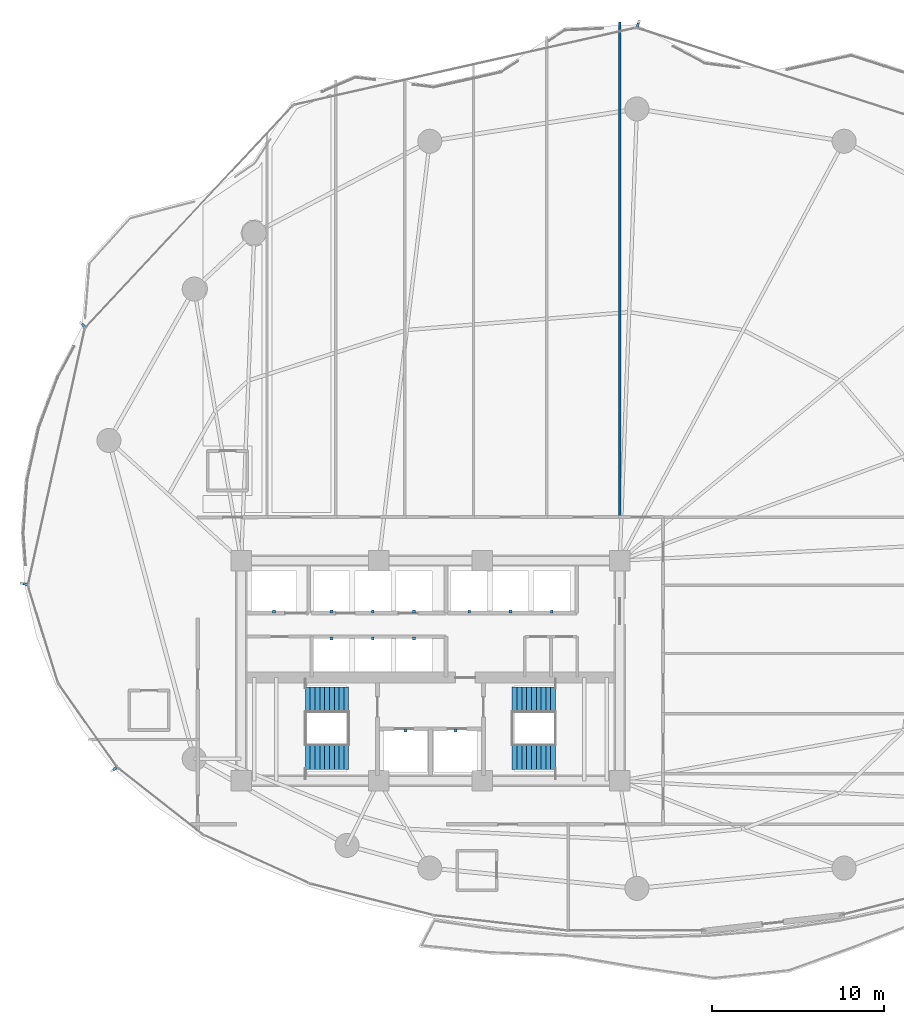
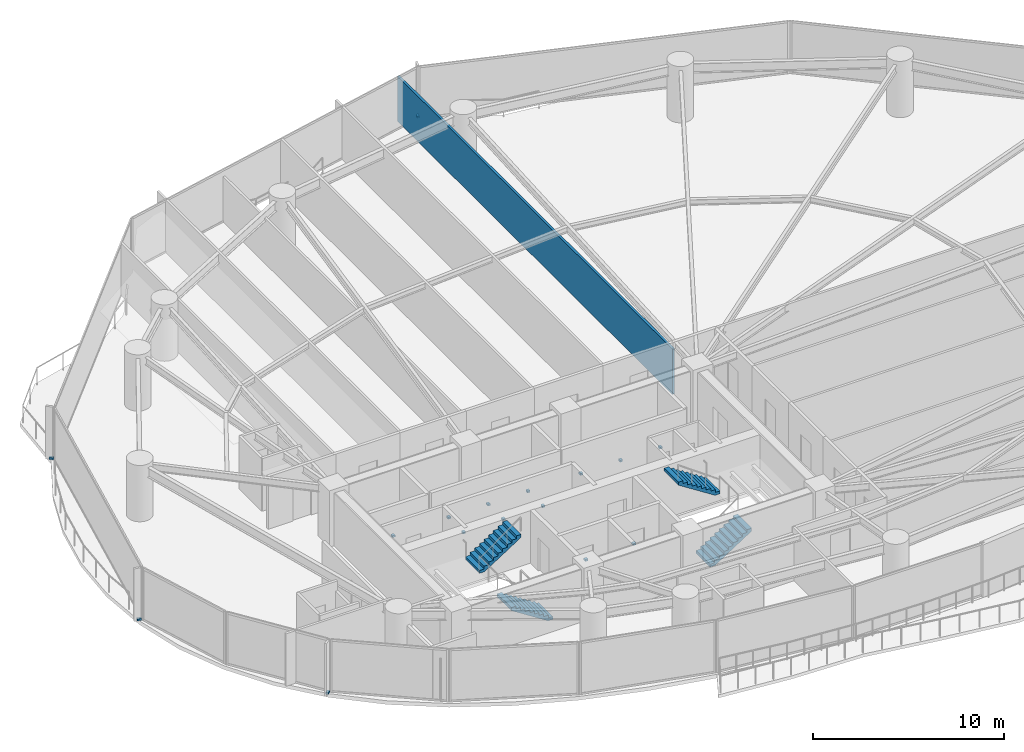
# One storey, part 28 of 33: 16 discrete accessories, 4 stair flights, 1 wall, 2 elements without a shape of their own.
"""IFC4 building model written with IfcOpenShell, lengths in metres."""

from ifc_helpers import new_model, si_unit, direction, frame, frame_2d, origin, origin_2d, place, context, subcontext, project, spatial, polyline, rectangle, outline, extrude, material, layer, layer_set, type_object, element, aggregate, save


model = new_model("IFC4")

# Units and contexts
model_context = context("Model", 3, precision=1e-05, world=origin(), true_north=direction((0.0, 1.0)))
body_context = subcontext(model_context, "Body", "Model", "MODEL_VIEW")
ifc_project = project(units=[si_unit("LENGTHUNIT", "METRE"), si_unit("AREAUNIT", "SQUARE_METRE"), si_unit("VOLUMEUNIT", "CUBIC_METRE"), si_unit("PLANEANGLEUNIT", "RADIAN"), si_unit("MASSUNIT", "GRAM", prefix="KILO")], contexts=[model_context])

# Site, building, storey
site_placement = place(None, origin())
site = spatial("IfcSite", under=ifc_project, at=site_placement, CompositionType="ELEMENT")
building_placement = place(site_placement, origin())
building = spatial("IfcBuilding", under=site, at=building_placement, Name="Kazevale Care Tower and Concert Hall", CompositionType="ELEMENT")
storey_placement = place(building_placement, frame((0.0, 0.0, 31.199951171875)))
storey = spatial("IfcBuildingStorey", under=building, at=storey_placement, Name="L07", CompositionType="ELEMENT", Elevation=31.199951171875)

# Wall
ifc_material_1 = material(Name="Acoustic Gypsum on Steel Stud", Category="steel")
ifc_layer_1 = layer(ifc_material_1, 0.139892578125)
ifc_layer_set_1 = layer_set([ifc_layer_1], Name="Acoustic Gypsum on Steel Stud")
wall_type = type_object("IfcWallType", Name="Acoustic Care & Suite Partition 140", PredefinedType="PARTITIONING", material=ifc_layer_set_1)
wall_placement = place(storey_placement, frame((44.0, 67.7060546875, 0.0), z_axis=(0.0, 0.0, 1.0), x_axis=(0.0, -1.0, 0.0)))
element("IfcWall", 1, at=wall_placement, inside=storey, type_object=wall_type, Name="wall:L07:auto_023", PredefinedType="PARTITIONING", context=body_context, shape_type="SweptSolid", body=[
    extrude(rectangle(XDim=28.81103515625, YDim=0.139892578125, at=frame_2d((14.405517578125, 0.0))), origin(), (0.0, 0.0, 1.0), 2.89013671875),
])

# Stair, stair flights
ifc_material_2 = material(Name="Concrete C40", Category="concrete")
stair_type = type_object("IfcStairType", Name="Exit Stair Assembly ST1-Z1", PredefinedType="HALF_TURN_STAIR", material=ifc_material_2)
stair_1_placement = place(storey_placement, origin())
stair_1 = element("IfcStair", 2, at=stair_1_placement, inside=storey, type_object=stair_type, Name="stair:L07:ST1", PredefinedType="HALF_TURN_STAIR")
ifc_layer_2 = layer(ifc_material_2, 0.159912109375)
ifc_layer_set_2 = layer_set([ifc_layer_2], Name="Concrete C40")
stair_flight_type = type_object("IfcStairFlightType", Name="Exit Stair Flight ST1-Z1", PredefinedType="STRAIGHT", material=ifc_layer_set_2)
stair_flight_1_placement = place(storey_placement, frame((28.25, 24.989990234375, 0.0), z_axis=(0.0, 0.0, 1.0), x_axis=(-1.0, 0.0, 0.0)))
stair_flight_1 = element("IfcStairFlight", 3, at=stair_flight_1_placement, type_object=stair_flight_type, Name="ST1-Z1 flight 1", NumberOfRisers=10, NumberOfTreads=9, PredefinedType="STRAIGHT", RiserHeight=0.18, TreadLength=0.28, context=body_context, shape_type="SweptSolid", body=[
    extrude(outline(polyline([(0.0, 0.0), (0.0, 0.179931640625), (0.280029296875, 0.179931640625), (0.280029296875, 0.360107421875), (0.56005859375, 0.360107421875), (0.56005859375, 0.5400390625), (0.840087890625, 0.5400390625), (0.840087890625, 0.719970703125), (1.1201171875, 0.719970703125), (1.1201171875, 0.89990234375), (1.39990234375, 0.89990234375), (1.39990234375, 1.080078125), (1.679931640625, 1.080078125), (1.679931640625, 1.260009765625), (1.9599609375, 1.260009765625), (1.9599609375, 1.43994140625), (2.239990234375, 1.43994140625), (2.239990234375, 1.6201171875), (2.52001953125, 1.6201171875), (2.52001953125, 1.800048828125), (2.52001953125, 1.429931640625), (0.295654296875, 0.0), (0.0, 0.0)])), frame((0.0, 0.739990234375, 0.0), z_axis=(0.0, -1.0, 0.0), x_axis=(1.0, 0.0, 0.0)), (0.0, 0.0, 1.0), 1.47998046875),
])
stair_flight_2_placement = place(storey_placement, frame((25.72998046875, 28.31005859375, 1.800048828125), z_axis=(0.0, 0.0, 1.0), x_axis=(1.0, 0.0, 0.0)))
stair_flight_2 = element("IfcStairFlight", 4, at=stair_flight_2_placement, type_object=stair_flight_type, Name="ST1-Z1 flight 2", NumberOfRisers=10, NumberOfTreads=9, PredefinedType="STRAIGHT", RiserHeight=0.18, TreadLength=0.28, context=body_context, shape_type="SweptSolid", body=[
    extrude(outline(polyline([(0.0, 0.0), (0.0, 0.179931640625), (0.280029296875, 0.179931640625), (0.280029296875, 0.360107421875), (0.56005859375, 0.360107421875), (0.56005859375, 0.5400390625), (0.840087890625, 0.5400390625), (0.840087890625, 0.719970703125), (1.1201171875, 0.719970703125), (1.1201171875, 0.89990234375), (1.39990234375, 0.89990234375), (1.39990234375, 1.080078125), (1.679931640625, 1.080078125), (1.679931640625, 1.260009765625), (1.9599609375, 1.260009765625), (1.9599609375, 1.43994140625), (2.239990234375, 1.43994140625), (2.239990234375, 1.6201171875), (2.52001953125, 1.6201171875), (2.52001953125, 1.800048828125), (2.52001953125, 1.429931640625), (0.295654296875, 0.0), (0.0, 0.0)])), frame((0.0, 0.739990234375, 0.0), z_axis=(0.0, -1.0, 0.0), x_axis=(1.0, 0.0, 0.0)), (0.0, 0.0, 1.0), 1.47998046875),
])
aggregate(stair_1, [stair_flight_1, stair_flight_2])

stair_2_placement = place(storey_placement, origin())
stair_2 = element("IfcStair", 5, at=stair_2_placement, inside=storey, type_object=stair_type, Name="stair:L07:ST2", PredefinedType="HALF_TURN_STAIR")
stair_flight_3_placement = place(storey_placement, frame((37.75, 24.989990234375, 0.0), z_axis=(0.0, 0.0, 1.0), x_axis=(1.0, 0.0, 0.0)))
stair_flight_3 = element("IfcStairFlight", 6, at=stair_flight_3_placement, type_object=stair_flight_type, Name="ST1-Z1 flight 1", NumberOfRisers=10, NumberOfTreads=9, PredefinedType="STRAIGHT", RiserHeight=0.18, TreadLength=0.28, context=body_context, shape_type="SweptSolid", body=[
    extrude(outline(polyline([(0.0, 0.0), (0.0, 0.179931640625), (0.280029296875, 0.179931640625), (0.280029296875, 0.360107421875), (0.56005859375, 0.360107421875), (0.56005859375, 0.5400390625), (0.840087890625, 0.5400390625), (0.840087890625, 0.719970703125), (1.1201171875, 0.719970703125), (1.1201171875, 0.89990234375), (1.39990234375, 0.89990234375), (1.39990234375, 1.080078125), (1.679931640625, 1.080078125), (1.679931640625, 1.260009765625), (1.9599609375, 1.260009765625), (1.9599609375, 1.43994140625), (2.239990234375, 1.43994140625), (2.239990234375, 1.6201171875), (2.52001953125, 1.6201171875), (2.52001953125, 1.800048828125), (2.52001953125, 1.429931640625), (0.295654296875, 0.0), (0.0, 0.0)])), frame((0.0, 0.739990234375, 0.0), z_axis=(0.0, -1.0, 0.0), x_axis=(1.0, 0.0, 0.0)), (0.0, 0.0, 1.0), 1.47998046875),
])
stair_flight_4_placement = place(storey_placement, frame((40.27001953125, 28.31005859375, 1.800048828125), z_axis=(0.0, 0.0, 1.0), x_axis=(-1.0, 0.0, 0.0)))
stair_flight_4 = element("IfcStairFlight", 7, at=stair_flight_4_placement, type_object=stair_flight_type, Name="ST1-Z1 flight 2", NumberOfRisers=10, NumberOfTreads=9, PredefinedType="STRAIGHT", RiserHeight=0.18, TreadLength=0.28, context=body_context, shape_type="SweptSolid", body=[
    extrude(outline(polyline([(0.0, 0.0), (0.0, 0.179931640625), (0.280029296875, 0.179931640625), (0.280029296875, 0.360107421875), (0.56005859375, 0.360107421875), (0.56005859375, 0.5400390625), (0.840087890625, 0.5400390625), (0.840087890625, 0.719970703125), (1.1201171875, 0.719970703125), (1.1201171875, 0.89990234375), (1.39990234375, 0.89990234375), (1.39990234375, 1.080078125), (1.679931640625, 1.080078125), (1.679931640625, 1.260009765625), (1.9599609375, 1.260009765625), (1.9599609375, 1.43994140625), (2.239990234375, 1.43994140625), (2.239990234375, 1.6201171875), (2.52001953125, 1.6201171875), (2.52001953125, 1.800048828125), (2.52001953125, 1.429931640625), (0.295654296875, 0.0), (0.0, 0.0)])), frame((0.0, 0.739990234375, 0.0), z_axis=(0.0, -1.0, 0.0), x_axis=(1.0, 0.0, 0.0)), (0.0, 0.0, 1.0), 1.47998046875),
])
aggregate(stair_2, [stair_flight_3, stair_flight_4])

# Discrete accessories
ifc_material_3 = material(Name="Stainless Steel 316", Category="steel")
discrete_accessory_type_1 = type_object("IfcDiscreteAccessoryType", Name="Facade Fin Stainless Anchor Bracket BRK-1", PredefinedType="BRACKET", material=ifc_material_3)
for number, where, z_axis, x_axis, name in (
    (8, (14.656005859375, 24.298828125, 0.0), (0.0, 0.0, 1.0), (-0.817547124842, -0.575861700985, 0.0), "cw:L07:f11:brk"),
    (9, (9.44677734375, 35.03369140625, 0.0), (0.0, 0.0, 1.0), (-0.97629600712, 0.216439613938, 0.0), "cw:L07:f13:brk"),
    (10, (12.8251953125, 50.068359375, 0.0), (0.0, 0.0, 1.0), (-0.730400739673, 0.683018857343, 0.0), "cw:L07:f14:brk"),
    (11, (45.04931640625, 67.517333984375, 0.0), (0.0, 0.0, 1.0), (0.30785482931, 0.951433341896, 0.0), "cw:L07:f16:brk"),
):
    element("IfcDiscreteAccessory", number, at=place(storey_placement, frame(where, z_axis=z_axis, x_axis=x_axis)), inside=storey, type_object=discrete_accessory_type_1, Name=name, PredefinedType="BRACKET", context=body_context, shape_type="SweptSolid", body=[
        extrude(rectangle(XDim=0.239990234375, YDim=0.139892578125, at=origin_2d()), origin(), (0.0, 0.0, 1.0), 0.1201171875),
    ])
discrete_accessory_type_2 = type_object("IfcDiscreteAccessoryType", Name="Hoistway Guide-Rail Wall Bracket HBRK-1", PredefinedType="BRACKET", material=ifc_material_3)
for number, where, z_axis, x_axis, name in (
    (12, (31.550048828125, 26.52001953125, 1.239990234375), (0.0, 0.0, 1.0), (1.0, 0.0, 0.0), "hbrk:FFL-1:L07"),
    (13, (34.449951171875, 26.52001953125, 1.239990234375), (0.0, 0.0, 1.0), (1.0, 0.0, 0.0), "hbrk:FFL-2:L07"),
    (14, (23.89990234375, 33.449951171875, 1.239990234375), (0.0, 0.0, 1.0), (1.0, 0.0, 0.0), "hbrk:SVL-1:L07"),
    (15, (27.25, 33.449951171875, 1.239990234375), (0.0, 0.0, 1.0), (1.0, 0.0, 0.0), "hbrk:PL-1:L07"),
    (16, (29.64990234375, 33.449951171875, 1.239990234375), (0.0, 0.0, 1.0), (1.0, 0.0, 0.0), "hbrk:PL-2:L07"),
    (17, (32.050048828125, 33.449951171875, 1.239990234375), (0.0, 0.0, 1.0), (1.0, 0.0, 0.0), "hbrk:PL-3:L07"),
    (18, (35.25, 33.449951171875, 1.239990234375), (0.0, 0.0, 1.0), (1.0, 0.0, 0.0), "hbrk:PM-1:L07"),
    (19, (37.64990234375, 33.449951171875, 1.239990234375), (0.0, 0.0, 1.0), (1.0, 0.0, 0.0), "hbrk:PM-2:L07"),
    (20, (40.050048828125, 33.449951171875, 1.239990234375), (0.0, 0.0, 1.0), (1.0, 0.0, 0.0), "hbrk:PM-3:L07"),
    (21, (27.25, 31.8798828125, 1.239990234375), (0.0, 0.0, 1.0), (1.0, 0.0, 0.0), "hbrk:PH-1:L07"),
    (22, (29.64990234375, 31.8798828125, 1.239990234375), (0.0, 0.0, 1.0), (1.0, 0.0, 0.0), "hbrk:PH-2:L07"),
    (23, (32.050048828125, 31.8798828125, 1.239990234375), (0.0, 0.0, 1.0), (1.0, 0.0, 0.0), "hbrk:PH-3:L07"),
):
    element("IfcDiscreteAccessory", number, at=place(storey_placement, frame(where, z_axis=z_axis, x_axis=x_axis)), inside=storey, type_object=discrete_accessory_type_2, Name=name, PredefinedType="BRACKET", context=body_context, shape_type="SweptSolid", body=[
        extrude(rectangle(XDim=0.159912109375, YDim=0.179931640625, at=origin_2d()), origin(), (0.0, 0.0, 1.0), 0.1201171875),
    ])

save(model, "model.ifc")
